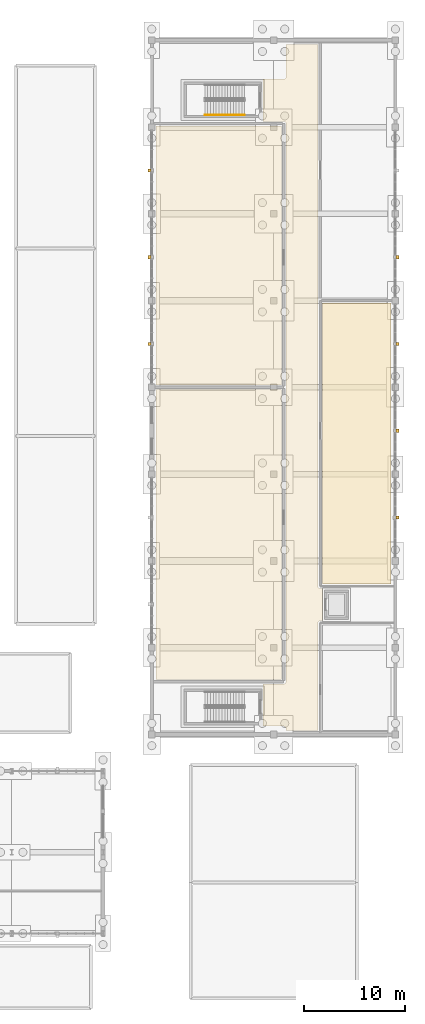
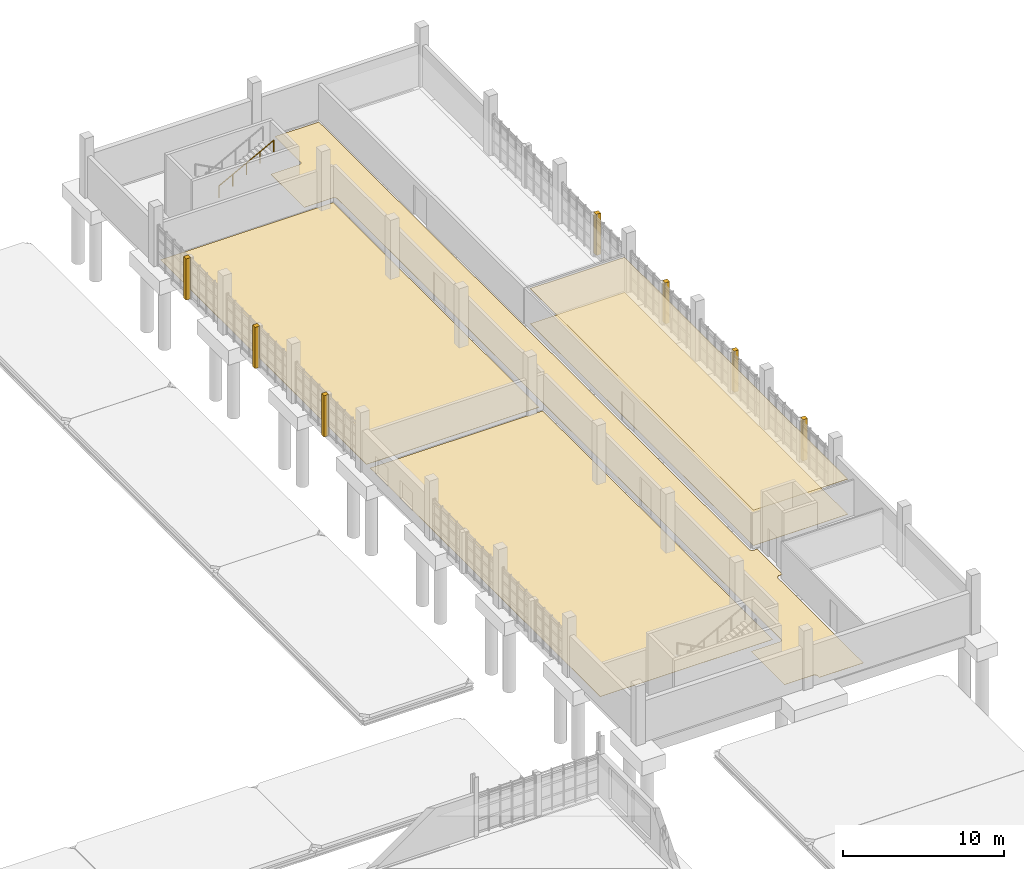
# One storey, part 123 of 125: 12 coverings, 1 railing.
"""IFC4 building model written with IfcOpenShell, lengths in metres."""

from ifc_helpers import new_model, si_unit, direction, frame, origin, origin_2d, place, context, subcontext, project, spatial, polyline, circle, outline, extrude, material, layer, layer_set, type_object, element, save


model = new_model("IFC4")

# Units and contexts
model_context = context("Model", 3, precision=1e-05, world=origin(), true_north=direction((0.0, 1.0)))
body_context = subcontext(model_context, "Body", "Model", "MODEL_VIEW")
ifc_project = project(units=[si_unit("LENGTHUNIT", "METRE"), si_unit("AREAUNIT", "SQUARE_METRE"), si_unit("VOLUMEUNIT", "CUBIC_METRE"), si_unit("PLANEANGLEUNIT", "RADIAN"), si_unit("MASSUNIT", "GRAM", prefix="KILO")], contexts=[model_context])

# Site, building, storey
site_placement = place(None, origin())
site = spatial("IfcSite", under=ifc_project, at=site_placement, CompositionType="ELEMENT")
building_placement = place(site_placement, origin())
building = spatial("IfcBuilding", under=site, at=building_placement, Name="Serraforn Aerial Cableway Station", CompositionType="ELEMENT")
storey_placement = place(building_placement, frame((0.0, 0.0, 4.5)))
storey = spatial("IfcBuildingStorey", under=building, at=storey_placement, Name="L01", CompositionType="ELEMENT", Elevation=4.5)

# Coverings
ifc_material_1 = material(Name="Fluted patinated bronze Art Deco pilaster cladding")
ifc_layer_1 = layer(ifc_material_1, 0.034912109375)
ifc_layer_set_1 = layer_set([ifc_layer_1], Name="Fluted patinated bronze Art Deco pilaster cladding")
covering_type_1 = type_object("IfcCoveringType", Name="COV-CLAD-BRZ", PredefinedType="CLADDING", material=ifc_layer_set_1)
covering_1_placement = place(storey_placement, origin())
element("IfcCovering", 1, at=covering_1_placement, inside=storey, type_object=covering_type_1, Name="Art Deco Bronze Pilaster Cladding EG-L01-E3", PredefinedType="CLADDING", context=body_context, shape_type="SweptSolid", body=[
    extrude(outline(polyline([(168.06005859375, 66.81494140625), (168.3798828125, 66.81494140625), (168.3798828125, 67.135009765625), (168.06005859375, 67.135009765625), (168.06005859375, 66.81494140625)])), origin(), (0.0, 0.0, 1.0), 3.1201171875),
])
covering_2_placement = place(storey_placement, origin())
element("IfcCovering", 2, at=covering_2_placement, inside=storey, type_object=covering_type_1, Name="Art Deco Bronze Pilaster Cladding EG-L01-E4", PredefinedType="CLADDING", context=body_context, shape_type="SweptSolid", body=[
    extrude(outline(polyline([(168.06005859375, 75.364990234375), (168.3798828125, 75.364990234375), (168.3798828125, 75.68505859375), (168.06005859375, 75.68505859375), (168.06005859375, 75.364990234375)])), origin(), (0.0, 0.0, 1.0), 3.1201171875),
])
covering_3_placement = place(storey_placement, origin())
element("IfcCovering", 3, at=covering_3_placement, inside=storey, type_object=covering_type_1, Name="Art Deco Bronze Pilaster Cladding EG-L01-W5", PredefinedType="CLADDING", context=body_context, shape_type="SweptSolid", body=[
    extrude(outline(polyline([(143.6201171875, 83.9150390625), (143.93994140625, 83.9150390625), (143.93994140625, 84.235107421875), (143.6201171875, 84.235107421875), (143.6201171875, 83.9150390625)])), origin(), (0.0, 0.0, 1.0), 3.1201171875),
])
covering_4_placement = place(storey_placement, origin())
element("IfcCovering", 4, at=covering_4_placement, inside=storey, type_object=covering_type_1, Name="Art Deco Bronze Pilaster Cladding EG-L01-E5", PredefinedType="CLADDING", context=body_context, shape_type="SweptSolid", body=[
    extrude(outline(polyline([(168.06005859375, 83.9150390625), (168.3798828125, 83.9150390625), (168.3798828125, 84.235107421875), (168.06005859375, 84.235107421875), (168.06005859375, 83.9150390625)])), origin(), (0.0, 0.0, 1.0), 3.1201171875),
])
covering_5_placement = place(storey_placement, origin())
element("IfcCovering", 5, at=covering_5_placement, inside=storey, type_object=covering_type_1, Name="Art Deco Bronze Pilaster Cladding EG-L01-W6", PredefinedType="CLADDING", context=body_context, shape_type="SweptSolid", body=[
    extrude(outline(polyline([(143.6201171875, 92.465087890625), (143.93994140625, 92.465087890625), (143.93994140625, 92.784912109375), (143.6201171875, 92.784912109375), (143.6201171875, 92.465087890625)])), origin(), (0.0, 0.0, 1.0), 3.1201171875),
])
covering_6_placement = place(storey_placement, origin())
element("IfcCovering", 6, at=covering_6_placement, inside=storey, type_object=covering_type_1, Name="Art Deco Bronze Pilaster Cladding EG-L01-E6", PredefinedType="CLADDING", context=body_context, shape_type="SweptSolid", body=[
    extrude(outline(polyline([(168.06005859375, 92.465087890625), (168.3798828125, 92.465087890625), (168.3798828125, 92.784912109375), (168.06005859375, 92.784912109375), (168.06005859375, 92.465087890625)])), origin(), (0.0, 0.0, 1.0), 3.1201171875),
])
covering_7_placement = place(storey_placement, origin())
element("IfcCovering", 7, at=covering_7_placement, inside=storey, type_object=covering_type_1, Name="Art Deco Bronze Pilaster Cladding EG-L01-W7", PredefinedType="CLADDING", context=body_context, shape_type="SweptSolid", body=[
    extrude(outline(polyline([(143.6201171875, 101.014892578125), (143.93994140625, 101.014892578125), (143.93994140625, 101.3349609375), (143.6201171875, 101.3349609375), (143.6201171875, 101.014892578125)])), origin(), (0.0, 0.0, 1.0), 3.1201171875),
])
ifc_material_2 = material(Name="Perforated acoustic mineral ceiling")
ifc_layer_2 = layer(ifc_material_2, 0.02490234375)
ifc_layer_set_2 = layer_set([ifc_layer_2], Name="Perforated acoustic mineral ceiling")
covering_type_2 = type_object("IfcCoveringType", Name="COV-CLG-AC", PredefinedType="CEILING", material=ifc_layer_set_2)
covering_8_placement = place(storey_placement, frame((0.0, 0.0, 2.659912109375)))
element("IfcCovering", 8, at=covering_8_placement, inside=storey, type_object=covering_type_2, Name="Suspended Ceiling L01-17", PredefinedType="CEILING", context=body_context, shape_type="SweptSolid", body=[
    extrude(outline(polyline([(160.820068359375, 60.419921875), (160.820068359375, 88.1298828125), (167.580078125, 88.1298828125), (167.580078125, 60.419921875), (160.820068359375, 60.419921875)])), origin(), (0.0, 0.0, 1.0), 0.025146484375),
])
ifc_material_3 = material(Name="Heavy-duty non-slip quartz epoxy floor")
ifc_layer_3 = layer(ifc_material_3, 0.014892578125)
ifc_layer_set_3 = layer_set([ifc_layer_3], Name="Heavy-duty non-slip quartz epoxy floor")
covering_type_3 = type_object("IfcCoveringType", Name="COV-FLR-EPOX", PredefinedType="FLOORING", material=ifc_layer_set_3)
covering_9_placement = place(storey_placement, origin())
element("IfcCovering", 9, at=covering_9_placement, inside=storey, type_object=covering_type_3, Name="Flooring L01-19", PredefinedType="FLOORING", context=body_context, shape_type="SweptSolid", body=[
    extrude(outline(polyline([(157.0, 50.580078125), (157.021484375, 50.5810546875), (157.04296875, 50.584228515625), (157.06396484375, 50.589599609375), (157.084228515625, 50.5966796875), (157.103759765625, 50.60595703125), (157.122314453125, 50.6171875), (157.1396484375, 50.6298828125), (157.155517578125, 50.644287109375), (157.170166015625, 50.660400390625), (157.182861328125, 50.677734375), (157.194091796875, 50.6962890625), (157.203369140625, 50.7158203125), (157.21044921875, 50.736083984375), (157.2158203125, 50.757080078125), (157.218994140625, 50.7783203125), (157.219970703125, 50.800048828125), (157.219970703125, 105.800048828125), (157.218994140625, 105.821533203125), (157.2158203125, 105.843017578125), (157.21044921875, 105.864013671875), (157.203369140625, 105.88427734375), (157.194091796875, 105.90380859375), (157.182861328125, 105.922119140625), (157.170166015625, 105.939697265625), (157.155517578125, 105.95556640625), (157.1396484375, 105.97021484375), (157.122314453125, 105.98291015625), (157.103759765625, 105.993896484375), (157.084228515625, 106.00341796875), (157.06396484375, 106.010498046875), (157.04296875, 106.015869140625), (157.021484375, 106.018798828125), (157.0, 106.02001953125), (154.969970703125, 106.02001953125), (154.969970703125, 110.179931640625), (157.0, 110.179931640625), (157.021484375, 110.18115234375), (157.04296875, 110.18408203125), (157.06396484375, 110.189453125), (157.084228515625, 110.19677734375), (157.103759765625, 110.2060546875), (157.122314453125, 110.217041015625), (157.1396484375, 110.22998046875), (157.155517578125, 110.244384765625), (157.170166015625, 110.260498046875), (157.182861328125, 110.27783203125), (157.194091796875, 110.29638671875), (157.203369140625, 110.31591796875), (157.21044921875, 110.336181640625), (157.2158203125, 110.357177734375), (157.218994140625, 110.37841796875), (157.219970703125, 110.39990234375), (157.219970703125, 113.580078125), (160.3798828125, 113.580078125), (160.3798828125, 60.199951171875), (160.381103515625, 60.178466796875), (160.38427734375, 60.156982421875), (160.389404296875, 60.135986328125), (160.396728515625, 60.11572265625), (160.406005859375, 60.09619140625), (160.4169921875, 60.077880859375), (160.429931640625, 60.060302734375), (160.4443359375, 60.04443359375), (160.46044921875, 60.02978515625), (160.477783203125, 60.01708984375), (160.496337890625, 60.006103515625), (160.515869140625, 59.99658203125), (160.5361328125, 59.989501953125), (160.55712890625, 59.984130859375), (160.578369140625, 59.981201171875), (160.60009765625, 59.97998046875), (160.830078125, 59.97998046875), (160.830078125, 56.820068359375), (160.60009765625, 56.820068359375), (160.578369140625, 56.81884765625), (160.55712890625, 56.81591796875), (160.5361328125, 56.810546875), (160.515869140625, 56.80322265625), (160.496337890625, 56.7939453125), (160.477783203125, 56.782958984375), (160.46044921875, 56.77001953125), (160.4443359375, 56.755615234375), (160.429931640625, 56.739501953125), (160.4169921875, 56.72216796875), (160.406005859375, 56.70361328125), (160.396728515625, 56.68408203125), (160.389404296875, 56.663818359375), (160.38427734375, 56.642822265625), (160.381103515625, 56.62158203125), (160.3798828125, 56.60009765625), (160.3798828125, 46.02001953125), (157.219970703125, 46.02001953125), (157.219970703125, 46.199951171875), (157.218994140625, 46.2216796875), (157.2158203125, 46.242919921875), (157.21044921875, 46.263916015625), (157.203369140625, 46.2841796875), (157.194091796875, 46.3037109375), (157.182861328125, 46.322265625), (157.170166015625, 46.339599609375), (157.155517578125, 46.355712890625), (157.1396484375, 46.3701171875), (157.122314453125, 46.3828125), (157.103759765625, 46.39404296875), (157.084228515625, 46.4033203125), (157.06396484375, 46.410400390625), (157.04296875, 46.415771484375), (157.021484375, 46.4189453125), (157.0, 46.419921875), (154.969970703125, 46.419921875), (154.969970703125, 50.580078125), (157.0, 50.580078125)])), origin(), (0.0, 0.0, 1.0), 0.014892578125),
])
covering_10_placement = place(storey_placement, origin())
element("IfcCovering", 10, at=covering_10_placement, inside=storey, type_object=covering_type_3, Name="Flooring L01-15", PredefinedType="FLOORING", context=body_context, shape_type="SweptSolid", body=[
    extrude(outline(polyline([(144.419921875, 51.02001953125), (144.419921875, 79.580078125), (156.780029296875, 79.580078125), (156.780029296875, 51.02001953125), (144.419921875, 51.02001953125)])), origin(), (0.0, 0.0, 1.0), 0.014892578125),
])
covering_11_placement = place(storey_placement, origin())
element("IfcCovering", 11, at=covering_11_placement, inside=storey, type_object=covering_type_3, Name="Flooring L01-16", PredefinedType="FLOORING", context=body_context, shape_type="SweptSolid", body=[
    extrude(outline(polyline([(144.419921875, 80.02001953125), (144.419921875, 105.580078125), (156.780029296875, 105.580078125), (156.780029296875, 80.02001953125), (144.419921875, 80.02001953125)])), origin(), (0.0, 0.0, 1.0), 0.014892578125),
])
covering_12_placement = place(storey_placement, origin())
element("IfcCovering", 12, at=covering_12_placement, inside=storey, type_object=covering_type_3, Name="Flooring L01-17", PredefinedType="FLOORING", context=body_context, shape_type="SweptSolid", body=[
    extrude(outline(polyline([(160.820068359375, 60.419921875), (160.820068359375, 88.1298828125), (167.580078125, 88.1298828125), (167.580078125, 60.419921875), (160.820068359375, 60.419921875)])), origin(), (0.0, 0.0, 1.0), 0.014892578125),
])

# Railing
ifc_material_4 = material(Name="Brushed bronze tubular handrail")
ifc_layer_4 = layer(ifc_material_4, 0.048095703125)
ifc_layer_set_4 = layer_set([ifc_layer_4], Name="Brushed bronze tubular handrail")
railing_type = type_object("IfcRailingType", Name="RL-STR-HDR", PredefinedType="HANDRAIL", material=ifc_layer_set_4)
railing_placement = place(storey_placement, frame((149.22998046875, 106.64990234375, 2.39990234375)))
element("IfcRailing", 13, at=railing_placement, inside=storey, type_object=railing_type, Name="L01 ST-11 stair handrail 2", PredefinedType="HANDRAIL", context=body_context, shape_type="SweptSolid", body=[
    extrude(circle(Radius=0.02392578125, at=origin_2d()), frame((0.0, 0.0, 0.8759765625), z_axis=(0.881466911329, 0.0, 0.472245787945), x_axis=(0.0, 1.0, 0.0)), (0.0, 0.0, 1.0), 4.447021484375),
    extrude(circle(Radius=0.02099609375, at=origin_2d()), origin(), (0.0, 0.0, 1.0), 0.851806640625),
    extrude(circle(Radius=0.02099609375, at=origin_2d()), frame((0.97998046875, 0.0, 0.52490234375)), (0.0, 0.0, 1.0), 0.851806640625),
    extrude(circle(Radius=0.02099609375, at=origin_2d()), frame((1.9599609375, 0.0, 1.050048828125)), (0.0, 0.0, 1.0), 0.851806640625),
    extrude(circle(Radius=0.02099609375, at=origin_2d()), frame((2.93994140625, 0.0, 1.5751953125)), (0.0, 0.0, 1.0), 0.851806640625),
    extrude(circle(Radius=0.02099609375, at=origin_2d()), frame((3.919921875, 0.0, 2.10009765625)), (0.0, 0.0, 1.0), 0.851806640625),
])

save(model, "model.ifc")
